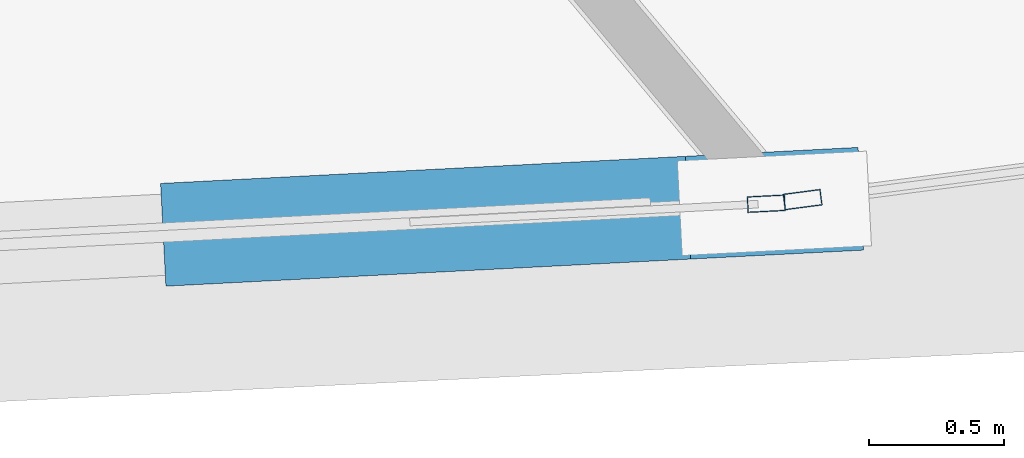
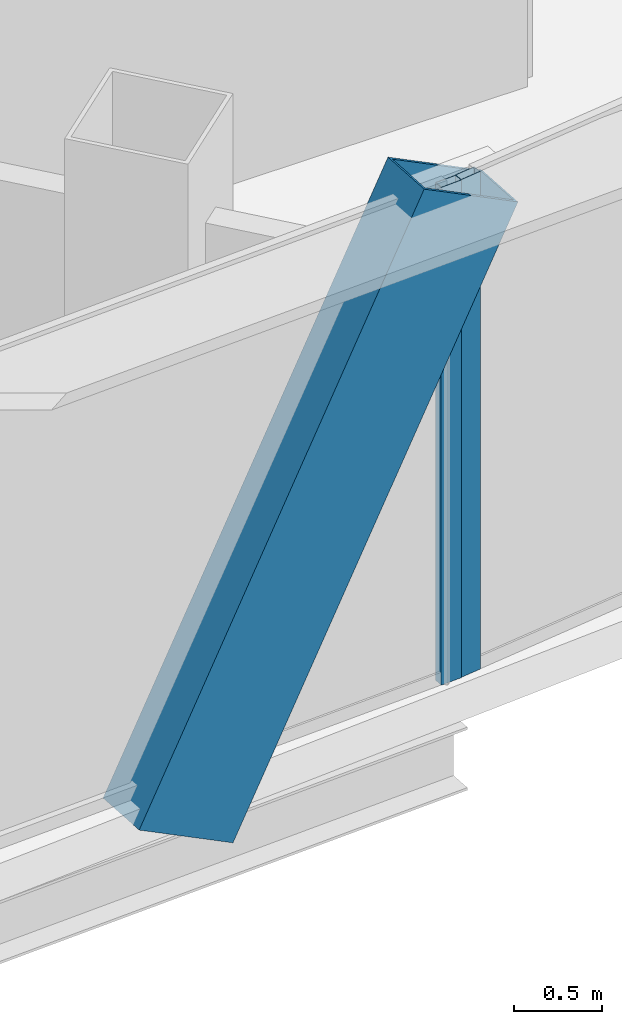
# One storey, part 11 of 35: 3 members, 2 elements without a shape of their own.
"""IFC4 building model written with IfcOpenShell, lengths in metres."""

import ifcopenshell
import ifcopenshell.guid

model = None  # the IFC model being written
_history = None  # IfcOwnerHistory: only IFC2X3 demands one
_inside = {}  # id of a spatial element -> (the spatial element, [elements in it])
_under = {}  # id of a project, library or spatial element -> (it, [spatial elements below it])
_declared = {}  # id of a project -> (the project, [libraries it declares])
_typed = {}  # id of a type object -> (the type object, [elements of that type])
_made_of = {}  # id of a material, layer set ... -> (it, [elements and type objects made of it])


def new_model(schema):
    """Start an empty IFC model of exactly this schema.

    Asked for "IFC4X3", IfcOpenShell would pick the latest addendum, in which some entities
    have other attributes; the version numbers below select the first issue.
    IFC2X3 requires an IfcOwnerHistory on every rooted entity: one is made here for all.
    """
    global model, _history
    if schema == "IFC4X3":
        model = ifcopenshell.file(schema_version=(4, 3, 0, 0))
    else:
        model = ifcopenshell.file(schema=schema)
    _inside.clear()
    _under.clear()
    _declared.clear()
    _typed.clear()
    _made_of.clear()
    _history = None
    if model.schema == "IFC2X3":
        org = make("IfcOrganization", Name="unknown")
        user = make(
            "IfcPersonAndOrganization",
            ThePerson=make("IfcPerson", FamilyName="unknown"),
            TheOrganization=org,
        )
        app = make(
            "IfcApplication",
            ApplicationDeveloper=org,
            Version="unknown",
            ApplicationFullName="unknown",
            ApplicationIdentifier="unknown",
        )
        _history = make(
            "IfcOwnerHistory",
            OwningUser=user,
            OwningApplication=app,
            ChangeAction="ADDED",
            CreationDate=0,
        )
    return model


def make(cls, **values):
    """One entity of the class cls with the attributes given. An attribute that is None is left unset."""
    return model.create_entity(
        cls, **{name: value for name, value in values.items() if value is not None}
    )


def rooted(cls, **values):
    """An entity with a GlobalId (a new one), such as an element, a storey or a relation."""
    return make(cls, GlobalId=ifcopenshell.guid.new(), OwnerHistory=_history, **values)


def si_unit(unit_type, name, prefix=None):
    """IfcSIUnit, for example si_unit("LENGTHUNIT", "METRE", prefix="MILLI")."""
    return make("IfcSIUnit", UnitType=unit_type, Prefix=prefix, Name=name)


def assignment(units):
    """IfcUnitAssignment: the units of a project."""
    return None if units is None else make("IfcUnitAssignment", Units=units)


def point(xyz):
    """IfcCartesianPoint."""
    return None if xyz is None else make("IfcCartesianPoint", Coordinates=xyz)


def direction(xyz):
    """IfcDirection."""
    return None if xyz is None else make("IfcDirection", DirectionRatios=xyz)


def frame(location, z_axis=None, x_axis=None):
    """IfcAxis2Placement3D, a coordinate frame: its origin and axes. An axis left out is left unset."""
    return make(
        "IfcAxis2Placement3D",
        Location=point(location),
        Axis=direction(z_axis),
        RefDirection=direction(x_axis),
    )


def frame_2d(location, x_axis=None):
    """IfcAxis2Placement2D, a coordinate frame in the plane: its origin and x axis."""
    return make(
        "IfcAxis2Placement2D", Location=point(location), RefDirection=direction(x_axis)
    )


def origin():
    """The frame at (0, 0, 0) with its axes left unset."""
    return frame((0.0, 0.0, 0.0))


def origin_2d():
    """The frame at (0, 0) in the plane with its x axis left unset."""
    return frame_2d((0.0, 0.0))


def place(relative_to, where):
    """IfcLocalPlacement: puts the frame where relative to a parent placement (None: the world)."""
    return make(
        "IfcLocalPlacement", PlacementRelTo=relative_to, RelativePlacement=where
    )


def context(
    kind, dimensions, precision=None, world=None, true_north=None, identifier=None
):
    """IfcGeometricRepresentationContext, for example the 3D "Model" context."""
    return make(
        "IfcGeometricRepresentationContext",
        ContextIdentifier=identifier,
        ContextType=kind,
        CoordinateSpaceDimension=dimensions,
        Precision=precision,
        WorldCoordinateSystem=world,
        TrueNorth=true_north,
    )


def subcontext(parent, identifier, kind, view, scale=None):
    """IfcGeometricRepresentationSubContext, for example "Body" below "Model"."""
    return make(
        "IfcGeometricRepresentationSubContext",
        ContextIdentifier=identifier,
        ContextType=kind,
        ParentContext=parent,
        TargetScale=scale,
        TargetView=view,
    )


def project(units=None, contexts=None):
    """IfcProject with its units and contexts."""
    return rooted(
        "IfcProject",
        Name="project",
        RepresentationContexts=contexts,
        UnitsInContext=assignment(units),
    )


def spatial(cls, under=None, at=None, **own):
    """A site, building, storey or space (cls), placed at a placement, below another one or the project."""
    s = rooted(cls, ObjectPlacement=at, **own)
    if under is not None:
        _under.setdefault(under.id(), (under, []))[1].append(s)
    return s


def profile(cls, at=None, kind="AREA", **sizes):
    """A parametric profile (cls). Its sizes go by their IFC names, for example OverallWidth=200.0."""
    return make(cls, ProfileType=kind, Position=at, **sizes)


def hollow_rectangle(**sizes):
    """IfcRectangleHollowProfileDef."""
    return profile("IfcRectangleHollowProfileDef", **sizes)


def extrude(swept, where, along, depth):
    """IfcExtrudedAreaSolid: the profile swept, set in the frame where, extruded along a direction by depth."""
    return make(
        "IfcExtrudedAreaSolid",
        SweptArea=swept,
        Position=where,
        ExtrudedDirection=direction(along),
        Depth=depth,
    )


def shape(context_of_items, identifier, shape_type, items):
    """IfcShapeRepresentation: the items that make up one representation, for example the "Body"."""
    return make(
        "IfcShapeRepresentation",
        ContextOfItems=context_of_items,
        RepresentationIdentifier=identifier,
        RepresentationType=shape_type,
        Items=items,
    )


def source(mapping_origin, context_of_items, identifier, shape_type, items):
    """IfcRepresentationMap: a shape defined once, which mapped items show again and again."""
    return make(
        "IfcRepresentationMap",
        MappingOrigin=mapping_origin,
        MappedRepresentation=shape(context_of_items, identifier, shape_type, items),
    )


def transform(
    local_origin,
    x_axis=None,
    y_axis=None,
    z_axis=None,
    scale=None,
    scale2=None,
    scale3=None,
    uniform=True,
):
    """IfcCartesianTransformationOperator3D, or its non-uniform kind. x_axis, y_axis, z_axis: its Axis1, 2, 3."""
    if uniform:
        return make(
            "IfcCartesianTransformationOperator3D",
            Axis1=direction(x_axis),
            Axis2=direction(y_axis),
            LocalOrigin=point(local_origin),
            Scale=scale,
            Axis3=direction(z_axis),
        )
    return make(
        "IfcCartesianTransformationOperator3DnonUniform",
        Axis1=direction(x_axis),
        Axis2=direction(y_axis),
        LocalOrigin=point(local_origin),
        Scale=scale,
        Axis3=direction(z_axis),
        Scale2=scale2,
        Scale3=scale3,
    )


def mapped(mapping_source, mapping_target):
    """IfcMappedItem: shows the shape of a source again, moved by a transform."""
    return make(
        "IfcMappedItem", MappingSource=mapping_source, MappingTarget=mapping_target
    )


def material(Name=None, Category=None):
    """IfcMaterial."""
    return make("IfcMaterial", Name=Name, Category=Category)


def layer(
    of_material, thickness, ventilated=None, Name=None, Category=None, Priority=None
):
    """IfcMaterialLayer: one layer of a wall or slab, of a material (None: an air gap)."""
    return make(
        "IfcMaterialLayer",
        Material=of_material,
        LayerThickness=thickness,
        IsVentilated=ventilated,
        Name=Name,
        Category=Category,
        Priority=Priority,
    )


def layer_set(layers, Name=None):
    """IfcMaterialLayerSet."""
    return make("IfcMaterialLayerSet", MaterialLayers=layers, LayerSetName=Name)


def material_profile(
    of_material, cross_section, Name=None, Category=None, Priority=None
):
    """IfcMaterialProfile: a cross section and its material."""
    return make(
        "IfcMaterialProfile",
        Name=Name,
        Material=of_material,
        Profile=cross_section,
        Priority=Priority,
        Category=Category,
    )


def profile_set(profiles, Name=None, composite=None):
    """IfcMaterialProfileSet."""
    return make(
        "IfcMaterialProfileSet",
        Name=Name,
        MaterialProfiles=profiles,
        CompositeProfile=composite,
    )


def made_of(thing, what):
    """Note that an element or type object is made of a material, layer set ...; save() writes the relation."""
    if what is not None:
        _made_of.setdefault(what.id(), (what, []))[1].append(thing)
    return thing


def type_object(cls, material=None, **own):
    """A type object (cls), such as IfcWallType, which elements share."""
    return made_of(rooted(cls, **own), material)


def element(
    cls,
    number,
    at=None,
    inside=None,
    cuts=None,
    type_object=None,
    material=None,
    context=None,
    identifier="Body",
    shape_type=None,
    held_by="IfcProductDefinitionShape",
    body=None,
    shapes=None,
    **own,
):
    """One element of the class cls, such as IfcWall. Its Tag is "e" and its number.

    at: its placement. inside: the storey or other place that contains it. cuts: it is an
    opening in that element (IfcRelVoidsElement). A single representation is given by context,
    identifier, shape_type and body (its items); several are given by shapes. held_by: the class
    of the entity that holds the representations. save() writes the other relations.
    """
    e = rooted(cls, Tag="e%d" % number, ObjectPlacement=at, **own)
    if body is not None:
        shapes = [shape(context, identifier, shape_type, body)]
    if shapes is not None:
        e.Representation = make(held_by, Representations=shapes)
    if inside is not None:
        _inside.setdefault(inside.id(), (inside, []))[1].append(e)
    if cuts is not None:
        rooted(
            "IfcRelVoidsElement", RelatingBuildingElement=cuts, RelatedOpeningElement=e
        )
    if type_object is not None:
        _typed.setdefault(type_object.id(), (type_object, []))[1].append(e)
    return made_of(e, material)


def aggregate(whole, parts):
    """IfcRelAggregates: a whole, such as a stair, and the parts it consists of."""
    return rooted("IfcRelAggregates", RelatingObject=whole, RelatedObjects=parts)


def save(model, path):
    """Write the relations noted so far, then the file.

    IfcRelAggregates (storeys below a building ...), IfcRelContainedInSpatialStructure (elements
    in a storey), IfcRelDefinesByType, IfcRelAssociatesMaterial and IfcRelDeclares: one each for
    every whole, place, type object, material and project.
    """
    for whole, parts in _under.values():
        aggregate(whole, parts)
    for where, things in _inside.values():
        rooted(
            "IfcRelContainedInSpatialStructure",
            RelatedElements=things,
            RelatingStructure=where,
        )
    for kind, things in _typed.values():
        rooted("IfcRelDefinesByType", RelatedObjects=things, RelatingType=kind)
    for what, things in _made_of.values():
        rooted("IfcRelAssociatesMaterial", RelatedObjects=things, RelatingMaterial=what)
    for by, libraries in _declared.values():
        rooted("IfcRelDeclares", RelatingContext=by, RelatedDefinitions=libraries)
    model.write(path)


model = new_model("IFC4")

# Units and contexts
model_context = context("Model", 3, precision=1e-05, world=origin(), true_north=direction((0.0, 1.0)))
body_context = subcontext(model_context, "Body", "Model", "MODEL_VIEW")
ifc_project = project(units=[si_unit("LENGTHUNIT", "METRE"), si_unit("AREAUNIT", "SQUARE_METRE"), si_unit("VOLUMEUNIT", "CUBIC_METRE"), si_unit("PLANEANGLEUNIT", "RADIAN"), si_unit("MASSUNIT", "GRAM", prefix="KILO"), si_unit("THERMODYNAMICTEMPERATUREUNIT", "KELVIN"), si_unit("POWERUNIT", "WATT")], contexts=[model_context])

# Site, building, storey
site_placement = place(None, origin())
site = spatial("IfcSite", under=ifc_project, at=site_placement, CompositionType="ELEMENT")
building_placement = place(site_placement, origin())
building = spatial("IfcBuilding", under=site, at=building_placement, Name="Yunzhuo Pagoda Commons", CompositionType="ELEMENT")
storey_placement = place(building_placement, frame((0.0, 0.0, 299.93994140625)))
storey = spatial("IfcBuildingStorey", under=building, at=storey_placement, Name="L75", CompositionType="ELEMENT", Elevation=299.93994140625)

# Member
ifc_material_1 = material(Name="Structural steel Q355B", Category="steel")
ifc_material_profile_1 = material_profile(ifc_material_1, hollow_rectangle(XDim=0.3798828125, YDim=0.719970703125, WallThickness=0.02001953125, at=origin_2d()), Name="Structural steel Q355B")
ifc_profile_set_1 = profile_set([ifc_material_profile_1], Name="Structural steel Q355B")
member_type_1 = type_object("IfcMemberType", Name="M-DL3 Brace BOX 720x380x20", PredefinedType="BRACE", material=ifc_profile_set_1)
shared_shape_1 = source(origin(), body_context, "Body", "SweptSolid", [
    extrude(hollow_rectangle(XDim=0.3798828125, YDim=0.719970703125, WallThickness=0.02001953125, at=origin_2d()), origin(), (0.0, 0.0, 1.0), 4.204345703125),
])
member_1_placement = place(storey_placement, frame((57.604248046875, 19.845458984375, -0.260009765625), z_axis=(0.460784915353, 0.023808672375, 0.887192430594), x_axis=(-0.051600981801, 0.998667781936, 0.0)))
element("IfcMember", 1, at=member_1_placement, inside=storey, type_object=member_type_1, Name="L75 facade diamond brace F1.3R", PredefinedType="BRACE", context=body_context, shape_type="MappedRepresentation", body=[
    mapped(shared_shape_1, transform((0.0, 0.0, 0.0), scale=1.0)),
])

# Curtain wall, member
ifc_material_2 = material(Name="Anodized aluminium 6063-T6", Category="aluminium")
ifc_layer = layer(ifc_material_2, 0.139892578125)
ifc_layer_set = layer_set([ifc_layer], Name="Anodized aluminium 6063-T6")
curtain_wall_type = type_object("IfcCurtainWallType", Name="CW-HI High-Zone Ribbon Curtain Wall", PredefinedType="NOTDEFINED", material=ifc_layer_set)
curtain_wall_1_placement = place(storey_placement, origin())
curtain_wall_1 = element("IfcCurtainWall", 2, at=curtain_wall_1_placement, inside=storey, type_object=curtain_wall_type, Name="L75 curtain wall CW-L75-F1B4", PredefinedType="NOTDEFINED")
ifc_material_profile_2 = material_profile(ifc_material_2, hollow_rectangle(XDim=0.06005859375, YDim=0.139892578125, WallThickness=0.00341796875, at=origin_2d()), Name="Anodized aluminium 6063-T6")
ifc_profile_set_2 = profile_set([ifc_material_profile_2], Name="Anodized aluminium 6063-T6")
member_type_2 = type_object("IfcMemberType", Name="CW-HI-M Mullion RHS 140x60x3.5", PredefinedType="MULLION", material=ifc_profile_set_2)
shared_shape_2 = source(origin(), body_context, "Body", "SweptSolid", [
    extrude(hollow_rectangle(XDim=0.06005859375, YDim=0.139892578125, WallThickness=0.00341796875, at=origin_2d()), origin(), (0.0, 0.0, 1.0), 3.469970703125),
])
member_2_placement = place(storey_placement, frame((59.511474609375, 19.94384765625, 0.0), z_axis=(0.0, 0.0, 1.0), x_axis=(-0.051461616076, 0.998674973187, 0.0)))
member_2 = element("IfcMember", 3, at=member_2_placement, type_object=member_type_2, Name="CW mullion 2", PredefinedType="MULLION", context=body_context, shape_type="MappedRepresentation", body=[
    mapped(shared_shape_2, transform((0.0, 0.0, 0.0), scale=1.0)),
])
aggregate(curtain_wall_1, [member_2])

curtain_wall_2_placement = place(storey_placement, origin())
curtain_wall_2 = element("IfcCurtainWall", 4, at=curtain_wall_2_placement, inside=storey, type_object=curtain_wall_type, Name="L75 curtain wall CW-L75-F1B5", PredefinedType="NOTDEFINED")
member_3_placement = place(storey_placement, frame((59.645751953125, 19.958984375, 0.0), z_axis=(0.0, 0.0, 1.0), x_axis=(-0.129855071238, 0.991532985066, 0.0)))
member_3 = element("IfcMember", 5, at=member_3_placement, type_object=member_type_2, Name="CW mullion 1", PredefinedType="MULLION", context=body_context, shape_type="MappedRepresentation", body=[
    mapped(shared_shape_2, transform((0.0, 0.0, 0.0), scale=1.0)),
])
aggregate(curtain_wall_2, [member_3])

save(model, "model.ifc")
